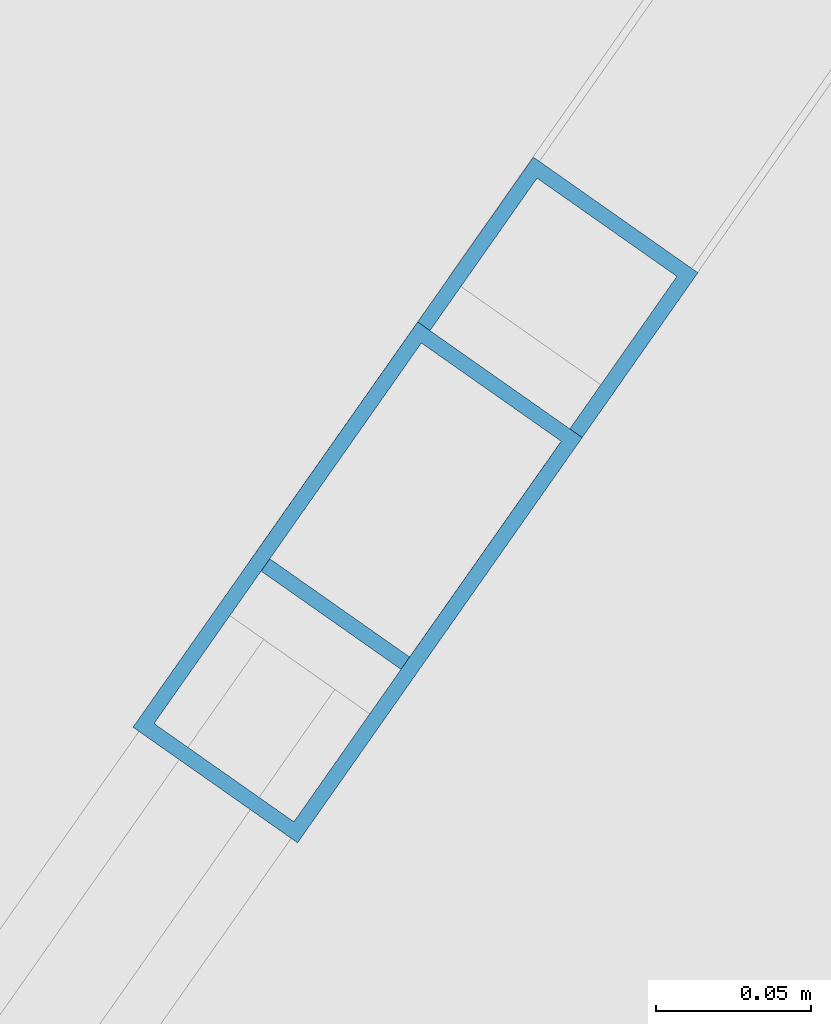
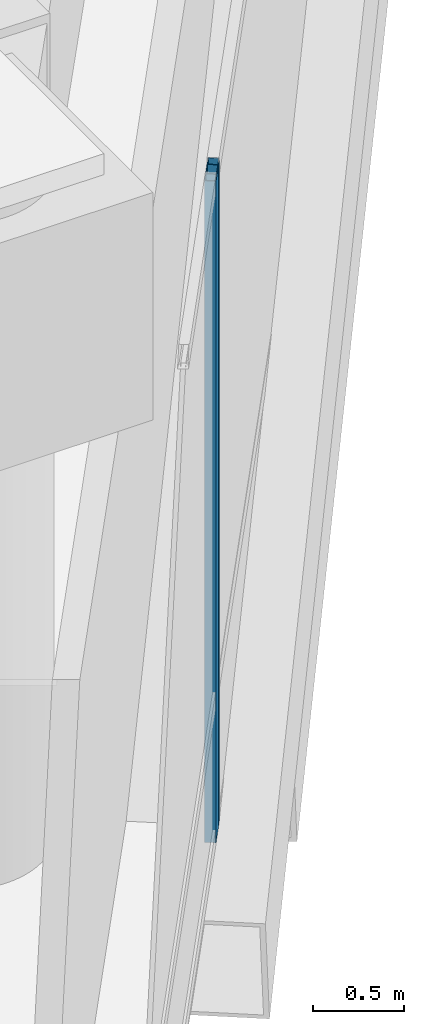
# One storey, part 6 of 21: 2 members, 2 elements without a shape of their own.
"""IFC4 building model written with IfcOpenShell, lengths in metres."""

from ifc_helpers import new_model, si_unit, direction, frame, origin, origin_2d, place, context, subcontext, project, spatial, hollow_rectangle, extrude, material, layer, layer_set, material_profile, profile_set, type_object, element, aggregate, save


model = new_model("IFC4")

# Units and contexts
model_context = context("Model", 3, precision=1e-05, world=origin(), true_north=direction((0.0, 1.0)))
body_context = subcontext(model_context, "Body", "Model", "MODEL_VIEW")
ifc_project = project(units=[si_unit("LENGTHUNIT", "METRE"), si_unit("AREAUNIT", "SQUARE_METRE"), si_unit("VOLUMEUNIT", "CUBIC_METRE"), si_unit("PLANEANGLEUNIT", "RADIAN"), si_unit("MASSUNIT", "GRAM", prefix="KILO")], contexts=[model_context])

# Site, building, storey
site_placement = place(None, origin())
site = spatial("IfcSite", under=ifc_project, at=site_placement, CompositionType="ELEMENT")
building_placement = place(site_placement, origin())
building = spatial("IfcBuilding", under=site, at=building_placement, Name="Qianvela Tower", CompositionType="ELEMENT")
storey_placement = place(building_placement, frame((0.0, 0.0, 276.0)))
storey = spatial("IfcBuildingStorey", under=building, at=storey_placement, Name="L71", CompositionType="ELEMENT", Elevation=276.0)

# Curtain wall, member
ifc_material_1 = material(Name="Anodised Architectural Aluminium and Insulated Spandrel Panel", Category="aluminium")
ifc_layer_1 = layer(ifc_material_1, 0.179931640625)
ifc_layer_set_1 = layer_set([ifc_layer_1], Name="Anodised Architectural Aluminium and Insulated Spandrel Panel")
curtain_wall_type_1 = type_object("IfcCurtainWallType", Name="CW-BRACEBAY", PredefinedType="USERDEFINED", material=ifc_layer_set_1)
curtain_wall_1_placement = place(storey_placement, origin())
curtain_wall_1 = element("IfcCurtainWall", 1, at=curtain_wall_1_placement, inside=storey, type_object=curtain_wall_type_1, Name="L71 CW-BRACEBAY Curtain Wall 06B", ObjectType="CURTAIN_WALL_SYSTEM", PredefinedType="USERDEFINED")
ifc_material_2 = material(Name="Anodised Architectural Aluminium 6063-T6", Category="aluminium")
ifc_material_profile_1 = material_profile(ifc_material_2, hollow_rectangle(XDim=0.06494140625, YDim=0.159912109375, WallThickness=0.0048828125, at=origin_2d()), Name="ALU-MULL-65x160")
ifc_profile_set_1 = profile_set([ifc_material_profile_1], Name="Anodised Architectural Aluminium 6063-T6")
member_type_1 = type_object("IfcMemberType", Name="CW-BRACEBAY-MULL", PredefinedType="MULLION", material=ifc_profile_set_1)
member_1_placement = place(storey_placement, frame((46.701904296875, 20.005126953125, 0.0), z_axis=(0.0, 0.0, 1.0), x_axis=(-0.818277774652, 0.574823001898, 0.0)))
member_1 = element("IfcMember", 2, at=member_1_placement, type_object=member_type_1, Name="CW-9 mullion 1", PredefinedType="MULLION", context=body_context, shape_type="SweptSolid", body=[
    extrude(hollow_rectangle(XDim=0.06494140625, YDim=0.159912109375, WallThickness=0.0048828125, at=origin_2d()), origin(), (0.0, 0.0, 1.0), 4.419921875),
])
aggregate(curtain_wall_1, [member_1])

ifc_material_3 = material(Name="Anodised Architectural Aluminium and Low-E Glass", Category="aluminium")
ifc_layer_2 = layer(ifc_material_3, 0.159912109375)
ifc_layer_set_2 = layer_set([ifc_layer_2], Name="Anodised Architectural Aluminium and Low-E Glass")
curtain_wall_type_2 = type_object("IfcCurtainWallType", Name="CW-COLIV-Z56", PredefinedType="USERDEFINED", material=ifc_layer_set_2)
curtain_wall_2_placement = place(storey_placement, origin())
curtain_wall_2 = element("IfcCurtainWall", 3, at=curtain_wall_2_placement, inside=storey, type_object=curtain_wall_type_2, Name="L71 CW-COLIV-Z56 Curtain Wall 06A", ObjectType="CURTAIN_WALL_SYSTEM", PredefinedType="USERDEFINED")
ifc_material_4 = material(Name="Anodised Architectural Aluminium 6063-T6", Category="aluminium")
ifc_material_profile_2 = material_profile(ifc_material_4, hollow_rectangle(XDim=0.06494140625, YDim=0.159912109375, WallThickness=0.0048828125, at=origin_2d()), Name="ALU-MULL-65x160")
ifc_profile_set_2 = profile_set([ifc_material_profile_2], Name="Anodised Architectural Aluminium 6063-T6")
member_type_2 = type_object("IfcMemberType", Name="CW-COLIV-Z56-MULL", PredefinedType="MULLION", material=ifc_profile_set_2)
member_2_placement = place(storey_placement, frame((46.66455078125, 19.951904296875, 0.0), z_axis=(0.0, 0.0, 1.0), x_axis=(-0.818279399872, 0.574820688341, 0.0)))
member_2 = element("IfcMember", 4, at=member_2_placement, type_object=member_type_2, Name="CW-5 mullion 3", PredefinedType="MULLION", context=body_context, shape_type="SweptSolid", body=[
    extrude(hollow_rectangle(XDim=0.06494140625, YDim=0.159912109375, WallThickness=0.0048828125, at=origin_2d()), origin(), (0.0, 0.0, 1.0), 4.419921875),
])
aggregate(curtain_wall_2, [member_2])

save(model, "model.ifc")
